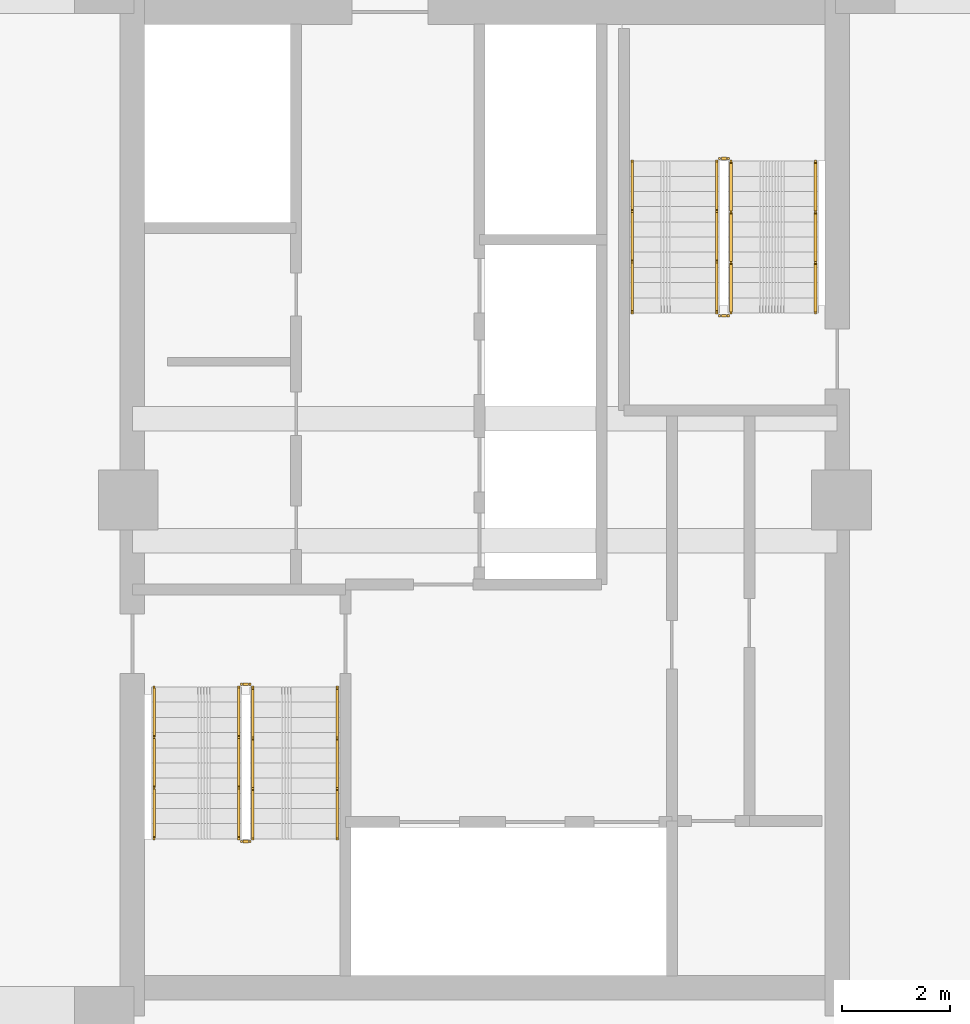
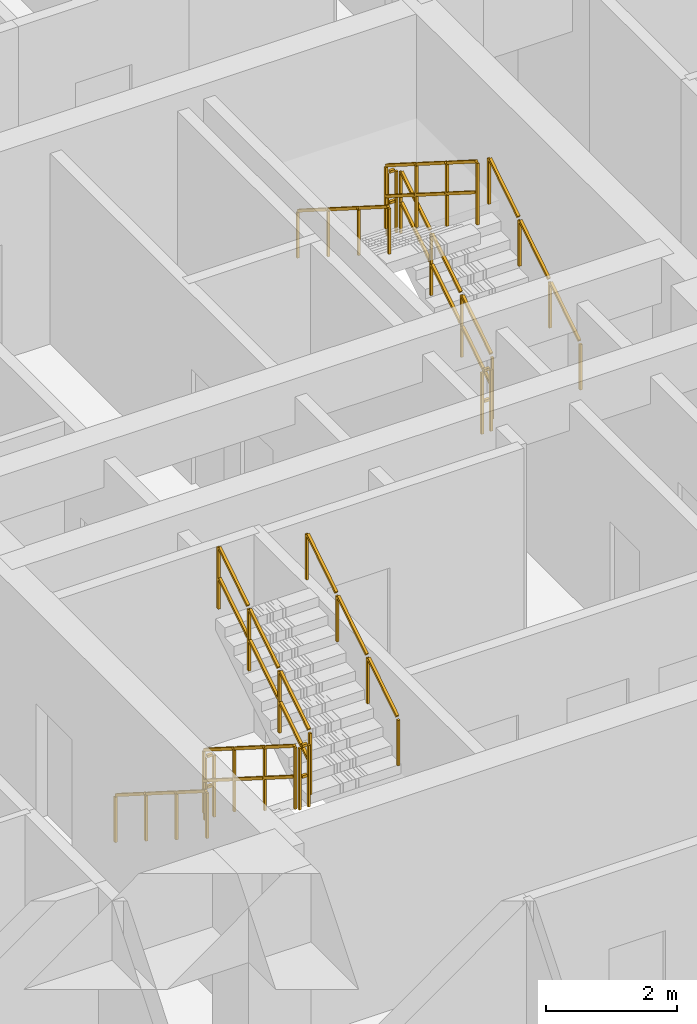
# One storey, part 45 of 45: 12 railings.
"""IFC4 building model written with IfcOpenShell, lengths in metres."""

from ifc_helpers import new_model, si_unit, direction, frame, origin, origin_2d, place, context, subcontext, project, spatial, rectangle, extrude, material, type_object, element, save


model = new_model("IFC4")

# Units and contexts
model_context = context("Model", 3, precision=1e-05, world=origin(), true_north=direction((0.0, 1.0)))
body_context = subcontext(model_context, "Body", "Model", "MODEL_VIEW")
ifc_project = project(units=[si_unit("LENGTHUNIT", "METRE"), si_unit("AREAUNIT", "SQUARE_METRE"), si_unit("VOLUMEUNIT", "CUBIC_METRE"), si_unit("PLANEANGLEUNIT", "RADIAN"), si_unit("MASSUNIT", "GRAM", prefix="KILO")], contexts=[model_context])

# Site, building, storey
site_placement = place(None, origin())
site = spatial("IfcSite", under=ifc_project, at=site_placement, CompositionType="ELEMENT")
building_placement = place(site_placement, origin())
building = spatial("IfcBuilding", under=site, at=building_placement, Name="Saelheon Loggia Tower", CompositionType="ELEMENT")
storey_placement = place(building_placement, frame((0.0, 0.0, 152.199951171875)))
storey = spatial("IfcBuildingStorey", under=building, at=storey_placement, Name="L48", CompositionType="ELEMENT", Elevation=152.199951171875)

# Railings
ifc_material_1 = material(Name="Galvanised Steel S275 Stairwell Guardrail", Category="steel")
railing_type_1 = type_object("IfcRailingType", Name="Guard_StairWell_RL_STG", PredefinedType="GUARDRAIL", material=ifc_material_1)
railing_1_placement = place(storey_placement, frame((33.4599609375, 23.550048828125, 0.17724609375)))
element("IfcRailing", 1, at=railing_1_placement, inside=storey, type_object=railing_type_1, Name="L48 ST1 stair guard 1", PredefinedType="GUARDRAIL", context=body_context, shape_type="SweptSolid", body=[
    extrude(rectangle(XDim=0.048095703125, YDim=0.048095703125, at=origin_2d()), frame((0.0, -0.028076171875, 1.193603515625), z_axis=(0.0, -0.844908973607, 0.534910110503), x_axis=(1.0, 0.0, 0.0)), (0.0, 0.0, 1.0), 1.0380859375),
    extrude(rectangle(XDim=0.048095703125, YDim=0.048095703125, at=origin_2d()), frame((0.0, -0.028076171875, 0.61767578125), z_axis=(0.0, -0.844908973607, 0.534910110503), x_axis=(1.0, 0.0, 0.0)), (0.0, 0.0, 1.0), 1.0380859375),
    extrude(rectangle(XDim=0.048095703125, YDim=0.048095703125, at=origin_2d()), frame((0.0, -0.96142578125, 1.78466796875), z_axis=(0.0, -0.844908973607, 0.534910110503), x_axis=(1.0, 0.0, 0.0)), (0.0, 0.0, 1.0), 1.0380859375),
    extrude(rectangle(XDim=0.048095703125, YDim=0.048095703125, at=origin_2d()), frame((0.0, -0.96142578125, 1.208740234375), z_axis=(0.0, -0.844908973607, 0.534910110503), x_axis=(1.0, 0.0, 0.0)), (0.0, 0.0, 1.0), 1.0380859375),
    extrude(rectangle(XDim=0.048095703125, YDim=0.048095703125, at=origin_2d()), frame((0.0, -1.894775390625, 2.37548828125), z_axis=(0.0, -0.844908973607, 0.534910110503), x_axis=(1.0, 0.0, 0.0)), (0.0, 0.0, 1.0), 1.0380859375),
    extrude(rectangle(XDim=0.048095703125, YDim=0.048095703125, at=origin_2d()), frame((0.0, -1.894775390625, 1.799560546875), z_axis=(0.0, -0.844908973607, 0.534910110503), x_axis=(1.0, 0.0, 0.0)), (0.0, 0.0, 1.0), 1.0380859375),
    extrude(rectangle(XDim=0.0419921875, YDim=0.0419921875, at=origin_2d()), origin(), (0.0, 0.0, 1.0), 1.14794921875),
    extrude(rectangle(XDim=0.0419921875, YDim=0.0419921875, at=origin_2d()), frame((0.0, -0.933349609375, 0.5908203125)), (0.0, 0.0, 1.0), 1.14794921875),
    extrude(rectangle(XDim=0.0419921875, YDim=0.0419921875, at=origin_2d()), frame((0.0, -1.86669921875, 1.181884765625)), (0.0, 0.0, 1.0), 1.14794921875),
    extrude(rectangle(XDim=0.0419921875, YDim=0.0419921875, at=origin_2d()), frame((0.0, -2.800048828125, 1.772705078125)), (0.0, 0.0, 1.0), 1.14794921875),
])
railing_2_placement = place(storey_placement, frame((33.510009765625, 20.699951171875, 1.949951171875)))
element("IfcRailing", 2, at=railing_2_placement, inside=storey, type_object=railing_type_1, Name="L48 ST1 stair guard 2", PredefinedType="GUARDRAIL", context=body_context, shape_type="SweptSolid", body=[
    extrude(rectangle(XDim=0.048095703125, YDim=0.048095703125, at=origin_2d()), frame((0.033203125, 0.0, 1.17578125), z_axis=(1.0, 0.0, 0.0), x_axis=(0.0, 1.0, 0.0)), (0.0, 0.0, 1.0), 0.093505859375),
    extrude(rectangle(XDim=0.048095703125, YDim=0.048095703125, at=origin_2d()), frame((0.033203125, 0.0, 0.60009765625), z_axis=(1.0, 0.0, 0.0), x_axis=(0.0, 1.0, 0.0)), (0.0, 0.0, 1.0), 0.093505859375),
    extrude(rectangle(XDim=0.0419921875, YDim=0.0419921875, at=origin_2d()), origin(), (0.0, 0.0, 1.0), 1.14794921875),
    extrude(rectangle(XDim=0.0419921875, YDim=0.0419921875, at=origin_2d()), frame((0.159912109375, 0.0, 0.0)), (0.0, 0.0, 1.0), 1.14794921875),
])
railing_3_placement = place(storey_placement, frame((33.719970703125, 20.75, 2.12744140625)))
element("IfcRailing", 3, at=railing_3_placement, inside=storey, type_object=railing_type_1, Name="L48 ST1 stair guard 3", PredefinedType="GUARDRAIL", context=body_context, shape_type="SweptSolid", body=[
    extrude(rectangle(XDim=0.048095703125, YDim=0.048095703125, at=origin_2d()), frame((0.0, 0.028076171875, 1.193603515625), z_axis=(0.0, 0.844908973607, 0.534910110503), x_axis=(-1.0, 0.0, 0.0)), (0.0, 0.0, 1.0), 1.0380859375),
    extrude(rectangle(XDim=0.048095703125, YDim=0.048095703125, at=origin_2d()), frame((0.0, 0.028076171875, 0.61767578125), z_axis=(0.0, 0.844908973607, 0.534910110503), x_axis=(-1.0, 0.0, 0.0)), (0.0, 0.0, 1.0), 1.0380859375),
    extrude(rectangle(XDim=0.048095703125, YDim=0.048095703125, at=origin_2d()), frame((0.0, 0.96142578125, 1.78466796875), z_axis=(0.0, 0.844908973607, 0.534910110503), x_axis=(-1.0, 0.0, 0.0)), (0.0, 0.0, 1.0), 1.0380859375),
    extrude(rectangle(XDim=0.048095703125, YDim=0.048095703125, at=origin_2d()), frame((0.0, 0.96142578125, 1.208740234375), z_axis=(0.0, 0.844908973607, 0.534910110503), x_axis=(-1.0, 0.0, 0.0)), (0.0, 0.0, 1.0), 1.0380859375),
    extrude(rectangle(XDim=0.048095703125, YDim=0.048095703125, at=origin_2d()), frame((0.0, 1.894775390625, 2.37548828125), z_axis=(0.0, 0.844908973607, 0.534910110503), x_axis=(-1.0, 0.0, 0.0)), (0.0, 0.0, 1.0), 1.0380859375),
    extrude(rectangle(XDim=0.048095703125, YDim=0.048095703125, at=origin_2d()), frame((0.0, 1.894775390625, 1.799560546875), z_axis=(0.0, 0.844908973607, 0.534910110503), x_axis=(-1.0, 0.0, 0.0)), (0.0, 0.0, 1.0), 1.0380859375),
    extrude(rectangle(XDim=0.0419921875, YDim=0.0419921875, at=origin_2d()), origin(), (0.0, 0.0, 1.0), 1.14794921875),
    extrude(rectangle(XDim=0.0419921875, YDim=0.0419921875, at=origin_2d()), frame((0.0, 0.933349609375, 0.5908203125)), (0.0, 0.0, 1.0), 1.14794921875),
    extrude(rectangle(XDim=0.0419921875, YDim=0.0419921875, at=origin_2d()), frame((0.0, 1.86669921875, 1.181884765625)), (0.0, 0.0, 1.0), 1.14794921875),
    extrude(rectangle(XDim=0.0419921875, YDim=0.0419921875, at=origin_2d()), frame((0.0, 2.800048828125, 1.772705078125)), (0.0, 0.0, 1.0), 1.14794921875),
])
railing_4_placement = place(storey_placement, frame((33.510009765625, 23.60009765625, 0.0)))
element("IfcRailing", 4, at=railing_4_placement, inside=storey, type_object=railing_type_1, Name="L48 ST1 stair guard 4", PredefinedType="GUARDRAIL", context=body_context, shape_type="SweptSolid", body=[
    extrude(rectangle(XDim=0.048095703125, YDim=0.048095703125, at=origin_2d()), frame((0.033203125, 0.0, 1.17578125), z_axis=(1.0, 0.0, 0.0), x_axis=(0.0, 1.0, 0.0)), (0.0, 0.0, 1.0), 0.093505859375),
    extrude(rectangle(XDim=0.048095703125, YDim=0.048095703125, at=origin_2d()), frame((0.033203125, 0.0, 0.60009765625), z_axis=(1.0, 0.0, 0.0), x_axis=(0.0, 1.0, 0.0)), (0.0, 0.0, 1.0), 0.093505859375),
    extrude(rectangle(XDim=0.0419921875, YDim=0.0419921875, at=origin_2d()), origin(), (0.0, 0.0, 1.0), 1.14794921875),
    extrude(rectangle(XDim=0.0419921875, YDim=0.0419921875, at=origin_2d()), frame((0.159912109375, 0.0, 0.0)), (0.0, 0.0, 1.0), 1.14794921875),
])
railing_5_placement = place(storey_placement, frame((42.5400390625, 30.449951171875, 0.17724609375)))
element("IfcRailing", 5, at=railing_5_placement, inside=storey, type_object=railing_type_1, Name="L48 ST2 stair guard 1", PredefinedType="GUARDRAIL", context=body_context, shape_type="SweptSolid", body=[
    extrude(rectangle(XDim=0.048095703125, YDim=0.048095703125, at=origin_2d()), frame((0.0, 0.028076171875, 1.193603515625), z_axis=(0.0, 0.844908973607, 0.534910110503), x_axis=(-1.0, 0.0, 0.0)), (0.0, 0.0, 1.0), 1.0380859375),
    extrude(rectangle(XDim=0.048095703125, YDim=0.048095703125, at=origin_2d()), frame((0.0, 0.028076171875, 0.61767578125), z_axis=(0.0, 0.844908973607, 0.534910110503), x_axis=(-1.0, 0.0, 0.0)), (0.0, 0.0, 1.0), 1.0380859375),
    extrude(rectangle(XDim=0.048095703125, YDim=0.048095703125, at=origin_2d()), frame((0.0, 0.96142578125, 1.78466796875), z_axis=(0.0, 0.844908973607, 0.534910110503), x_axis=(-1.0, 0.0, 0.0)), (0.0, 0.0, 1.0), 1.0380859375),
    extrude(rectangle(XDim=0.048095703125, YDim=0.048095703125, at=origin_2d()), frame((0.0, 0.96142578125, 1.208740234375), z_axis=(0.0, 0.844908973607, 0.534910110503), x_axis=(-1.0, 0.0, 0.0)), (0.0, 0.0, 1.0), 1.0380859375),
    extrude(rectangle(XDim=0.048095703125, YDim=0.048095703125, at=origin_2d()), frame((0.0, 1.894775390625, 2.37548828125), z_axis=(0.0, 0.844908973607, 0.534910110503), x_axis=(-1.0, 0.0, 0.0)), (0.0, 0.0, 1.0), 1.0380859375),
    extrude(rectangle(XDim=0.048095703125, YDim=0.048095703125, at=origin_2d()), frame((0.0, 1.894775390625, 1.799560546875), z_axis=(0.0, 0.844908973607, 0.534910110503), x_axis=(-1.0, 0.0, 0.0)), (0.0, 0.0, 1.0), 1.0380859375),
    extrude(rectangle(XDim=0.0419921875, YDim=0.0419921875, at=origin_2d()), origin(), (0.0, 0.0, 1.0), 1.14794921875),
    extrude(rectangle(XDim=0.0419921875, YDim=0.0419921875, at=origin_2d()), frame((0.0, 0.933349609375, 0.5908203125)), (0.0, 0.0, 1.0), 1.14794921875),
    extrude(rectangle(XDim=0.0419921875, YDim=0.0419921875, at=origin_2d()), frame((0.0, 1.86669921875, 1.181884765625)), (0.0, 0.0, 1.0), 1.14794921875),
    extrude(rectangle(XDim=0.0419921875, YDim=0.0419921875, at=origin_2d()), frame((0.0, 2.800048828125, 1.772705078125)), (0.0, 0.0, 1.0), 1.14794921875),
])
railing_6_placement = place(storey_placement, frame((42.489990234375, 33.300048828125, 1.949951171875)))
element("IfcRailing", 6, at=railing_6_placement, inside=storey, type_object=railing_type_1, Name="L48 ST2 stair guard 2", PredefinedType="GUARDRAIL", context=body_context, shape_type="SweptSolid", body=[
    extrude(rectangle(XDim=0.048095703125, YDim=0.048095703125, at=origin_2d()), frame((-0.033203125, 0.0, 1.17578125), z_axis=(-1.0, 0.0, 0.0), x_axis=(0.0, -1.0, 0.0)), (0.0, 0.0, 1.0), 0.093505859375),
    extrude(rectangle(XDim=0.048095703125, YDim=0.048095703125, at=origin_2d()), frame((-0.033203125, 0.0, 0.60009765625), z_axis=(-1.0, 0.0, 0.0), x_axis=(0.0, -1.0, 0.0)), (0.0, 0.0, 1.0), 0.093505859375),
    extrude(rectangle(XDim=0.0419921875, YDim=0.0419921875, at=origin_2d()), origin(), (0.0, 0.0, 1.0), 1.14794921875),
    extrude(rectangle(XDim=0.0419921875, YDim=0.0419921875, at=origin_2d()), frame((-0.159912109375, 0.0, 0.0)), (0.0, 0.0, 1.0), 1.14794921875),
])
railing_7_placement = place(storey_placement, frame((42.280029296875, 33.25, 2.12744140625)))
element("IfcRailing", 7, at=railing_7_placement, inside=storey, type_object=railing_type_1, Name="L48 ST2 stair guard 3", PredefinedType="GUARDRAIL", context=body_context, shape_type="SweptSolid", body=[
    extrude(rectangle(XDim=0.048095703125, YDim=0.048095703125, at=origin_2d()), frame((0.0, -0.028076171875, 1.193603515625), z_axis=(0.0, -0.844908973607, 0.534910110503), x_axis=(1.0, 0.0, 0.0)), (0.0, 0.0, 1.0), 1.0380859375),
    extrude(rectangle(XDim=0.048095703125, YDim=0.048095703125, at=origin_2d()), frame((0.0, -0.028076171875, 0.61767578125), z_axis=(0.0, -0.844908973607, 0.534910110503), x_axis=(1.0, 0.0, 0.0)), (0.0, 0.0, 1.0), 1.0380859375),
    extrude(rectangle(XDim=0.048095703125, YDim=0.048095703125, at=origin_2d()), frame((0.0, -0.96142578125, 1.78466796875), z_axis=(0.0, -0.844908973607, 0.534910110503), x_axis=(1.0, 0.0, 0.0)), (0.0, 0.0, 1.0), 1.0380859375),
    extrude(rectangle(XDim=0.048095703125, YDim=0.048095703125, at=origin_2d()), frame((0.0, -0.96142578125, 1.208740234375), z_axis=(0.0, -0.844908973607, 0.534910110503), x_axis=(1.0, 0.0, 0.0)), (0.0, 0.0, 1.0), 1.0380859375),
    extrude(rectangle(XDim=0.048095703125, YDim=0.048095703125, at=origin_2d()), frame((0.0, -1.894775390625, 2.37548828125), z_axis=(0.0, -0.844908973607, 0.534910110503), x_axis=(1.0, 0.0, 0.0)), (0.0, 0.0, 1.0), 1.0380859375),
    extrude(rectangle(XDim=0.048095703125, YDim=0.048095703125, at=origin_2d()), frame((0.0, -1.894775390625, 1.799560546875), z_axis=(0.0, -0.844908973607, 0.534910110503), x_axis=(1.0, 0.0, 0.0)), (0.0, 0.0, 1.0), 1.0380859375),
    extrude(rectangle(XDim=0.0419921875, YDim=0.0419921875, at=origin_2d()), origin(), (0.0, 0.0, 1.0), 1.14794921875),
    extrude(rectangle(XDim=0.0419921875, YDim=0.0419921875, at=origin_2d()), frame((0.0, -0.933349609375, 0.5908203125)), (0.0, 0.0, 1.0), 1.14794921875),
    extrude(rectangle(XDim=0.0419921875, YDim=0.0419921875, at=origin_2d()), frame((0.0, -1.86669921875, 1.181884765625)), (0.0, 0.0, 1.0), 1.14794921875),
    extrude(rectangle(XDim=0.0419921875, YDim=0.0419921875, at=origin_2d()), frame((0.0, -2.800048828125, 1.772705078125)), (0.0, 0.0, 1.0), 1.14794921875),
])
railing_8_placement = place(storey_placement, frame((42.489990234375, 30.39990234375, 0.0)))
element("IfcRailing", 8, at=railing_8_placement, inside=storey, type_object=railing_type_1, Name="L48 ST2 stair guard 4", PredefinedType="GUARDRAIL", context=body_context, shape_type="SweptSolid", body=[
    extrude(rectangle(XDim=0.048095703125, YDim=0.048095703125, at=origin_2d()), frame((-0.033203125, 0.0, 1.17578125), z_axis=(-1.0, 0.0, 0.0), x_axis=(0.0, -1.0, 0.0)), (0.0, 0.0, 1.0), 0.093505859375),
    extrude(rectangle(XDim=0.048095703125, YDim=0.048095703125, at=origin_2d()), frame((-0.033203125, 0.0, 0.60009765625), z_axis=(-1.0, 0.0, 0.0), x_axis=(0.0, -1.0, 0.0)), (0.0, 0.0, 1.0), 0.093505859375),
    extrude(rectangle(XDim=0.0419921875, YDim=0.0419921875, at=origin_2d()), origin(), (0.0, 0.0, 1.0), 1.14794921875),
    extrude(rectangle(XDim=0.0419921875, YDim=0.0419921875, at=origin_2d()), frame((-0.159912109375, 0.0, 0.0)), (0.0, 0.0, 1.0), 1.14794921875),
])
ifc_material_2 = material(Name="Stainless Steel 304 Tubular Handrail", Category="steel")
railing_type_2 = type_object("IfcRailingType", Name="Handrail_Stair_RL_HR1", PredefinedType="HANDRAIL", material=ifc_material_2)
railing_9_placement = place(storey_placement, frame((31.89990234375, 23.550048828125, 0.17724609375)))
element("IfcRailing", 9, at=railing_9_placement, inside=storey, type_object=railing_type_2, Name="L48 ST1 stair handrail 1", PredefinedType="HANDRAIL", context=body_context, shape_type="SweptSolid", body=[
    extrude(rectangle(XDim=0.048095703125, YDim=0.048095703125, at=origin_2d()), frame((0.0, -0.028076171875, 0.8935546875), z_axis=(0.0, -0.844908973607, 0.534910110503), x_axis=(1.0, 0.0, 0.0)), (0.0, 0.0, 1.0), 1.0380859375),
    extrude(rectangle(XDim=0.048095703125, YDim=0.048095703125, at=origin_2d()), frame((0.0, -0.96142578125, 1.484619140625), z_axis=(0.0, -0.844908973607, 0.534910110503), x_axis=(1.0, 0.0, 0.0)), (0.0, 0.0, 1.0), 1.0380859375),
    extrude(rectangle(XDim=0.048095703125, YDim=0.048095703125, at=origin_2d()), frame((0.0, -1.894775390625, 2.075439453125), z_axis=(0.0, -0.844908973607, 0.534910110503), x_axis=(1.0, 0.0, 0.0)), (0.0, 0.0, 1.0), 1.0380859375),
    extrude(rectangle(XDim=0.0419921875, YDim=0.0419921875, at=origin_2d()), origin(), (0.0, 0.0, 1.0), 0.847900390625),
    extrude(rectangle(XDim=0.0419921875, YDim=0.0419921875, at=origin_2d()), frame((0.0, -0.933349609375, 0.5908203125)), (0.0, 0.0, 1.0), 0.847900390625),
    extrude(rectangle(XDim=0.0419921875, YDim=0.0419921875, at=origin_2d()), frame((0.0, -1.86669921875, 1.181884765625)), (0.0, 0.0, 1.0), 0.847900390625),
    extrude(rectangle(XDim=0.0419921875, YDim=0.0419921875, at=origin_2d()), frame((0.0, -2.800048828125, 1.772705078125)), (0.0, 0.0, 1.0), 0.847900390625),
])
for number, where, name in (
    (10, (35.280029296875, 20.75, 2.12744140625), "L48 ST1 stair handrail 2"),
    (11, (44.10009765625, 30.449951171875, 0.17724609375), "L48 ST2 stair handrail 1"),
):
    element("IfcRailing", number, at=place(storey_placement, frame(where)), inside=storey, type_object=railing_type_2, Name=name, PredefinedType="HANDRAIL", context=body_context, shape_type="SweptSolid", body=[
        extrude(rectangle(XDim=0.048095703125, YDim=0.048095703125, at=origin_2d()), frame((0.0, 0.028076171875, 0.8935546875), z_axis=(0.0, 0.844908973607, 0.534910110503), x_axis=(-1.0, 0.0, 0.0)), (0.0, 0.0, 1.0), 1.0380859375),
        extrude(rectangle(XDim=0.048095703125, YDim=0.048095703125, at=origin_2d()), frame((0.0, 0.96142578125, 1.484619140625), z_axis=(0.0, 0.844908973607, 0.534910110503), x_axis=(-1.0, 0.0, 0.0)), (0.0, 0.0, 1.0), 1.0380859375),
        extrude(rectangle(XDim=0.048095703125, YDim=0.048095703125, at=origin_2d()), frame((0.0, 1.894775390625, 2.075439453125), z_axis=(0.0, 0.844908973607, 0.534910110503), x_axis=(-1.0, 0.0, 0.0)), (0.0, 0.0, 1.0), 1.0380859375),
        extrude(rectangle(XDim=0.0419921875, YDim=0.0419921875, at=origin_2d()), origin(), (0.0, 0.0, 1.0), 0.847900390625),
        extrude(rectangle(XDim=0.0419921875, YDim=0.0419921875, at=origin_2d()), frame((0.0, 0.933349609375, 0.5908203125)), (0.0, 0.0, 1.0), 0.847900390625),
        extrude(rectangle(XDim=0.0419921875, YDim=0.0419921875, at=origin_2d()), frame((0.0, 1.86669921875, 1.181884765625)), (0.0, 0.0, 1.0), 0.847900390625),
        extrude(rectangle(XDim=0.0419921875, YDim=0.0419921875, at=origin_2d()), frame((0.0, 2.800048828125, 1.772705078125)), (0.0, 0.0, 1.0), 0.847900390625),
    ])
railing_10_placement = place(storey_placement, frame((40.719970703125, 33.25, 2.12744140625)))
element("IfcRailing", 12, at=railing_10_placement, inside=storey, type_object=railing_type_2, Name="L48 ST2 stair handrail 2", PredefinedType="HANDRAIL", context=body_context, shape_type="SweptSolid", body=[
    extrude(rectangle(XDim=0.048095703125, YDim=0.048095703125, at=origin_2d()), frame((0.0, -0.028076171875, 0.8935546875), z_axis=(0.0, -0.844908973607, 0.534910110503), x_axis=(1.0, 0.0, 0.0)), (0.0, 0.0, 1.0), 1.0380859375),
    extrude(rectangle(XDim=0.048095703125, YDim=0.048095703125, at=origin_2d()), frame((0.0, -0.96142578125, 1.484619140625), z_axis=(0.0, -0.844908973607, 0.534910110503), x_axis=(1.0, 0.0, 0.0)), (0.0, 0.0, 1.0), 1.0380859375),
    extrude(rectangle(XDim=0.048095703125, YDim=0.048095703125, at=origin_2d()), frame((0.0, -1.894775390625, 2.075439453125), z_axis=(0.0, -0.844908973607, 0.534910110503), x_axis=(1.0, 0.0, 0.0)), (0.0, 0.0, 1.0), 1.0380859375),
    extrude(rectangle(XDim=0.0419921875, YDim=0.0419921875, at=origin_2d()), origin(), (0.0, 0.0, 1.0), 0.847900390625),
    extrude(rectangle(XDim=0.0419921875, YDim=0.0419921875, at=origin_2d()), frame((0.0, -0.933349609375, 0.5908203125)), (0.0, 0.0, 1.0), 0.847900390625),
    extrude(rectangle(XDim=0.0419921875, YDim=0.0419921875, at=origin_2d()), frame((0.0, -1.86669921875, 1.181884765625)), (0.0, 0.0, 1.0), 0.847900390625),
    extrude(rectangle(XDim=0.0419921875, YDim=0.0419921875, at=origin_2d()), frame((0.0, -2.800048828125, 1.772705078125)), (0.0, 0.0, 1.0), 0.847900390625),
])

save(model, "model.ifc")
